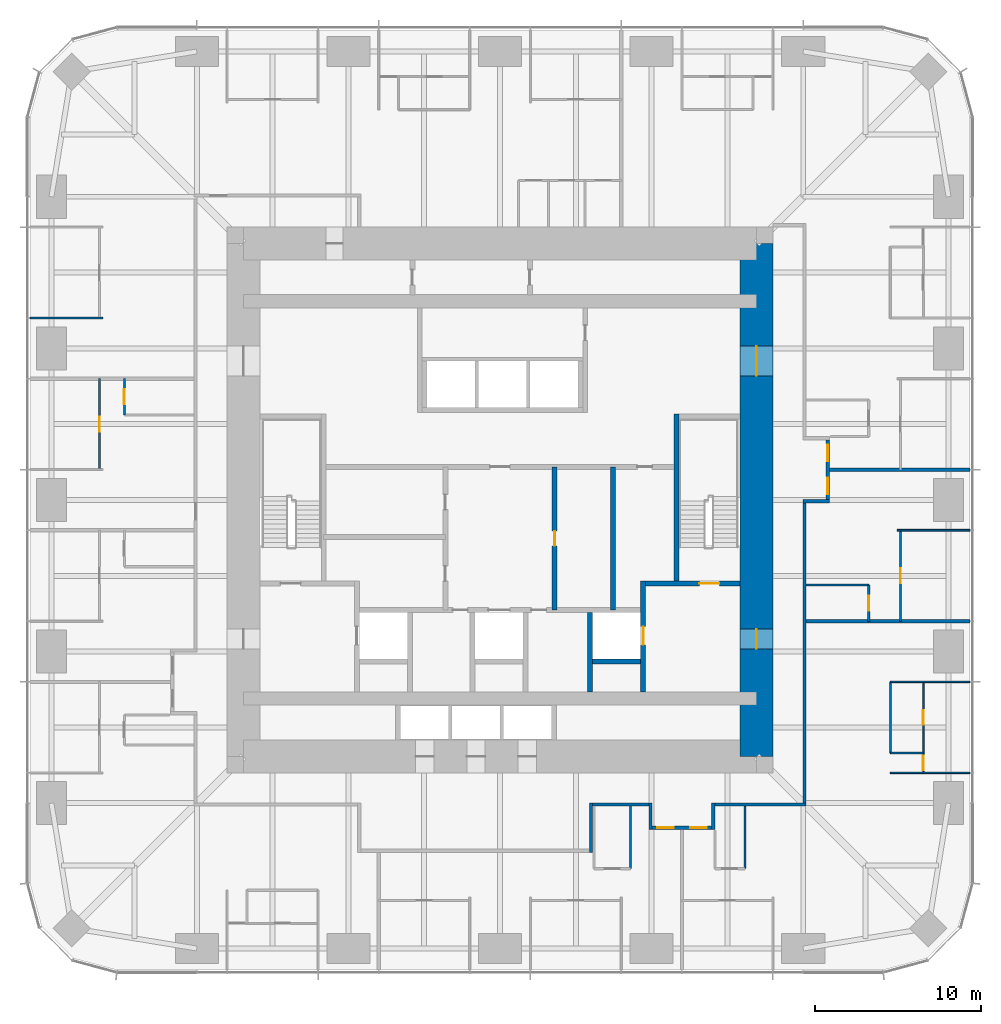
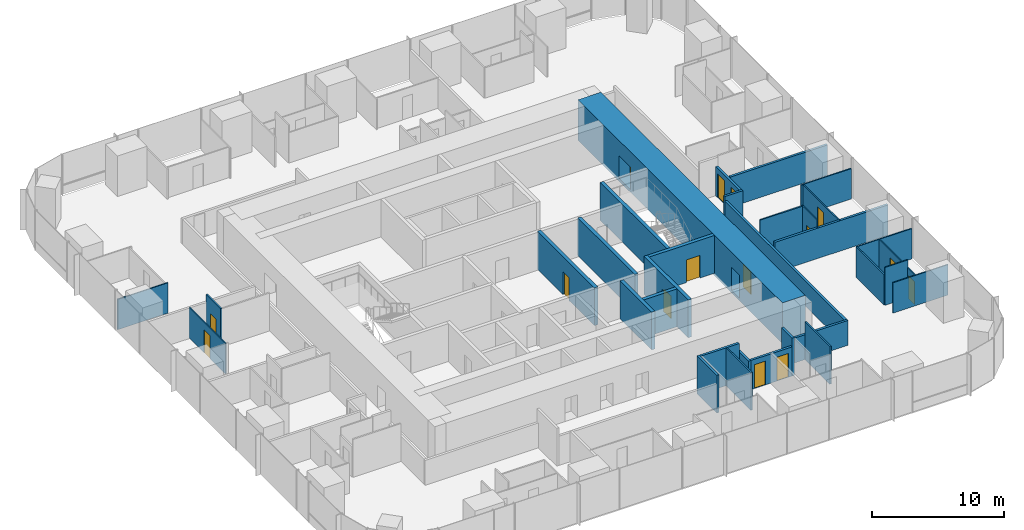
# One storey, part 10 of 13: 33 walls, 15 doors, 15 openings.
"""IFC4 building model written with IfcOpenShell, lengths in metres."""

from ifc_helpers import new_model, si_unit, direction, frame, frame_2d, origin, place, context, subcontext, project, spatial, rectangle, extrude, material, layer, layer_set, type_object, element, fill, save


model = new_model("IFC4")

# Units and contexts
model_context = context("Model", 3, precision=1e-05, world=origin(), true_north=direction((0.0, 1.0)))
body_context = subcontext(model_context, "Body", "Model", "MODEL_VIEW")
ifc_project = project(units=[si_unit("LENGTHUNIT", "METRE"), si_unit("AREAUNIT", "SQUARE_METRE"), si_unit("VOLUMEUNIT", "CUBIC_METRE"), si_unit("PLANEANGLEUNIT", "RADIAN"), si_unit("MASSUNIT", "GRAM", prefix="KILO")], contexts=[model_context])

# Site, building, storey
site_placement = place(None, origin())
site = spatial("IfcSite", under=ifc_project, at=site_placement, CompositionType="ELEMENT")
building_placement = place(site_placement, origin())
building = spatial("IfcBuilding", under=site, at=building_placement, Name="Khuree Lantern Residences", CompositionType="ELEMENT")
storey_placement = place(building_placement, frame((0.0, 0.0, 156.0)))
storey = spatial("IfcBuildingStorey", under=building, at=storey_placement, Name="L39", CompositionType="ELEMENT", Elevation=156.0)

# Wall, opening, door
ifc_material_1 = material(Name="Moisture-resistant gypsum board on steel studs", Category="steel")
ifc_layer_1 = layer(ifc_material_1, 0.125)
ifc_layer_set_1 = layer_set([ifc_layer_1], Name="BATHROOM WALL BTW125")
wall_type_1 = type_object("IfcWallType", Name="BATHROOM WALL BTW125", PredefinedType="PARTITIONING", material=ifc_layer_set_1)
wall_1_placement = place(storey_placement, frame((22.27978515625, -7.327880859375, 0.0), z_axis=(0.0, 0.0, 1.0), x_axis=(0.0, 1.0, 0.0)))
wall_1 = element("IfcWall", 1, at=wall_1_placement, inside=storey, type_object=wall_type_1, Name="L39 BATHROOM WALL 01", PredefinedType="PARTITIONING", context=body_context, shape_type="SweptSolid", body=[
    extrude(rectangle(XDim=2.199951171875, YDim=0.125, at=frame_2d((1.10009765625, 0.0))), origin(), (0.0, 0.0, 1.0), 3.5),
])
opening_1_placement = place(wall_1_placement, frame((0.64990234375, 0.0, 0.0)))
opening_1 = element("IfcOpeningElement", 2, at=opening_1_placement, cuts=wall_1, Name="Opening 39-025", PredefinedType="OPENING", context=body_context, shape_type="SweptSolid", body=[
    extrude(rectangle(XDim=0.89990234375, YDim=2.10009765625, at=frame_2d((0.449951171875, 1.050048828125))), frame((0.0, 0.072509765625, 0.0), z_axis=(0.0, -1.0, 0.0), x_axis=(1.0, 0.0, 0.0)), (0.0, 0.0, 1.0), 0.14501953125),
])
ifc_material_2 = material(Name="Timber door leaf in hardwood frame", Category="wood")
door_type_1 = type_object("IfcDoorType", Name="BATHROOM DOOR 900X2100", OperationType="SINGLE_SWING_LEFT", PredefinedType="DOOR", material=ifc_material_2)
door_1_placement = place(opening_1_placement, origin())
door_1 = element("IfcDoor", 3, at=door_1_placement, inside=storey, type_object=door_type_1, Name="Bathroom door 39-025", OperationType="SINGLE_SWING_LEFT", OverallHeight=2.10009765625, OverallWidth=0.89990234375, PredefinedType="DOOR", context=body_context, shape_type="SweptSolid", body=[
    extrude(rectangle(XDim=0.89990234375, YDim=2.10009765625, at=frame_2d((0.449951171875, 1.050048828125))), frame((0.0, 0.02490234375, 0.0), z_axis=(0.0, -1.0, 0.0), x_axis=(1.0, 0.0, 0.0)), (0.0, 0.0, 1.0), 0.050048828125),
])
fill(opening_1, door_1)

# Wall
wall_2_placement = place(storey_placement, frame((18.5, -5.1279296875, 0.0), z_axis=(0.0, 0.0, 1.0), x_axis=(1.0, 0.0, 0.0)))
element("IfcWall", 4, at=wall_2_placement, inside=storey, type_object=wall_type_1, Name="L39 BATHROOM WALL 01", PredefinedType="PARTITIONING", context=body_context, shape_type="SweptSolid", body=[
    extrude(rectangle(XDim=3.77978515625, YDim=0.125, at=frame_2d((1.889892578125, 0.0))), origin(), (0.0, 0.0, 1.0), 3.5),
])

# Wall, opening, door
wall_3_placement = place(storey_placement, frame((-22.699951171875, 7.327880859375, 0.0), z_axis=(0.0, 0.0, 1.0), x_axis=(0.0, -1.0, 0.0)))
wall_3 = element("IfcWall", 5, at=wall_3_placement, inside=storey, type_object=wall_type_1, Name="L39 BATHROOM WALL 04", PredefinedType="PARTITIONING", context=body_context, shape_type="SweptSolid", body=[
    extrude(rectangle(XDim=2.199951171875, YDim=0.125, at=frame_2d((1.10009765625, 0.0))), origin(), (0.0, 0.0, 1.0), 3.5),
])
opening_2_placement = place(wall_3_placement, frame((0.64990234375, 0.0, 0.0)))
opening_2 = element("IfcOpeningElement", 6, at=opening_2_placement, cuts=wall_3, Name="Opening 39-044", PredefinedType="OPENING", context=body_context, shape_type="SweptSolid", body=[
    extrude(rectangle(XDim=0.89990234375, YDim=2.10009765625, at=frame_2d((0.449951171875, 1.050048828125))), frame((0.0, 0.072509765625, 0.0), z_axis=(0.0, -1.0, 0.0), x_axis=(1.0, 0.0, 0.0)), (0.0, 0.0, 1.0), 0.14501953125),
])
door_2_placement = place(opening_2_placement, origin())
door_2 = element("IfcDoor", 7, at=door_2_placement, inside=storey, type_object=door_type_1, Name="Bathroom door 39-044", OperationType="SINGLE_SWING_LEFT", OverallHeight=2.10009765625, OverallWidth=0.89990234375, PredefinedType="DOOR", context=body_context, shape_type="SweptSolid", body=[
    extrude(rectangle(XDim=0.89990234375, YDim=2.10009765625, at=frame_2d((0.449951171875, 1.050048828125))), frame((0.0, 0.02490234375, 0.0), z_axis=(0.0, -1.0, 0.0), x_axis=(1.0, 0.0, 0.0)), (0.0, 0.0, 1.0), 0.050048828125),
])
fill(opening_2, door_2)

# Walls
wall_4_placement = place(storey_placement, frame((7.883544921875, -18.5, 0.0), z_axis=(0.0, 0.0, 1.0), x_axis=(0.0, -1.0, 0.0)))
element("IfcWall", 8, at=wall_4_placement, inside=storey, type_object=wall_type_1, Name="L39 BATHROOM WALL 07", PredefinedType="PARTITIONING", context=body_context, shape_type="SweptSolid", body=[
    extrude(rectangle(XDim=3.77978515625, YDim=0.125, at=frame_2d((1.889892578125, 0.0))), origin(), (0.0, 0.0, 1.0), 3.5),
])
wall_5_placement = place(storey_placement, frame((23.579833984375, -15.2880859375, 0.0), z_axis=(0.0, 0.0, 1.0), x_axis=(0.0, 1.0, 0.0)))
element("IfcWall", 9, at=wall_5_placement, inside=storey, type_object=wall_type_1, Name="L39 BATHROOM WALL 08", PredefinedType="PARTITIONING", context=body_context, shape_type="SweptSolid", body=[
    extrude(rectangle(XDim=4.296142578125, YDim=0.125, at=frame_2d((2.14794921875, 0.0))), origin(), (0.0, 0.0, 1.0), 2.81005859375),
])
wall_6_placement = place(storey_placement, frame((14.7919921875, -18.5, 0.0), z_axis=(0.0, 0.0, 1.0), x_axis=(0.0, -1.0, 0.0)))
element("IfcWall", 10, at=wall_6_placement, inside=storey, type_object=wall_type_1, Name="L39 BATHROOM WALL 08", PredefinedType="PARTITIONING", context=body_context, shape_type="SweptSolid", body=[
    extrude(rectangle(XDim=3.77978515625, YDim=0.125, at=frame_2d((1.889892578125, 0.0))), origin(), (0.0, 0.0, 1.0), 3.5),
])

# Wall, opening, door
ifc_material_3 = material(Name="Dense concrete blockwork", Category="masonry")
ifc_layer_2 = layer(ifc_material_3, 0.300048828125)
ifc_layer_set_2 = layer_set([ifc_layer_2], Name="CORE PARTITION WALL CPW300 EI 120")
wall_type_2 = type_object("IfcWallType", Name="CORE PARTITION WALL CPW300 EI 120", PredefinedType="PARTITIONING", material=ifc_layer_set_2)
wall_7_placement = place(storey_placement, frame((8.64990234375, -11.60009765625, 0.0), z_axis=(0.0, 0.0, 1.0), x_axis=(0.0, 1.0, 0.0)))
wall_7 = element("IfcWall", 11, at=wall_7_placement, inside=storey, type_object=wall_type_2, Name="L39 CORE WALL FL2E", PredefinedType="PARTITIONING", context=body_context, shape_type="SweptSolid", body=[
    extrude(rectangle(XDim=6.7001953125, YDim=0.300048828125, at=frame_2d((3.35009765625, 0.0))), origin(), (0.0, 0.0, 1.0), 3.5),
])
opening_3_placement = place(wall_7_placement, frame((2.85009765625, 0.0, 0.0)))
opening_3 = element("IfcOpeningElement", 12, at=opening_3_placement, cuts=wall_7, Name="Opening 39-008", PredefinedType="OPENING", context=body_context, shape_type="SweptSolid", body=[
    extrude(rectangle(XDim=1.10009765625, YDim=2.10009765625, at=frame_2d((0.550048828125, 1.050048828125))), frame((0.0, 0.16015625, 0.0), z_axis=(0.0, -1.0, 0.0), x_axis=(1.0, 0.0, 0.0)), (0.0, 0.0, 1.0), 0.320068359375),
])
ifc_material_4 = material(Name="Stainless steel lift landing door", Category="steel")
door_type_2 = type_object("IfcDoorType", Name="LIFT LANDING DOOR 1100X2100 E 120", OperationType="DOUBLE_DOOR_SLIDING", PredefinedType="DOOR", material=ifc_material_4)
door_3_placement = place(opening_3_placement, origin())
door_3 = element("IfcDoor", 13, at=door_3_placement, inside=storey, type_object=door_type_2, Name="Landing door FL2 39-008", OperationType="DOUBLE_DOOR_SLIDING", OverallHeight=2.10009765625, OverallWidth=1.10009765625, PredefinedType="DOOR", context=body_context, shape_type="SweptSolid", body=[
    extrude(rectangle(XDim=1.10009765625, YDim=2.10009765625, at=frame_2d((0.550048828125, 1.050048828125))), frame((0.0, 0.02490234375, 0.0), z_axis=(0.0, -1.0, 0.0), x_axis=(1.0, 0.0, 0.0)), (0.0, 0.0, 1.0), 0.050048828125),
])
fill(opening_3, door_3)

# Walls
wall_8_placement = place(storey_placement, frame((5.449951171875, -11.60009765625, 0.0), z_axis=(0.0, 0.0, 1.0), x_axis=(0.0, 1.0, 0.0)))
element("IfcWall", 14, at=wall_8_placement, inside=storey, type_object=wall_type_2, Name="L39 CORE WALL FL2W", PredefinedType="PARTITIONING", context=body_context, shape_type="SweptSolid", body=[
    extrude(rectangle(XDim=4.800048828125, YDim=0.300048828125, at=frame_2d((2.39990234375, 0.0))), origin(), (0.0, 0.0, 1.0), 3.5),
])
wall_9_placement = place(storey_placement, frame((5.60009765625, -9.75, 0.0), z_axis=(0.0, 0.0, 1.0), x_axis=(1.0, 0.0, 0.0)))
element("IfcWall", 15, at=wall_9_placement, inside=storey, type_object=wall_type_2, Name="L39 CORE WALL FL2S", PredefinedType="PARTITIONING", context=body_context, shape_type="SweptSolid", body=[
    extrude(rectangle(XDim=2.89990234375, YDim=0.300048828125, at=frame_2d((1.449951171875, 0.0))), origin(), (0.0, 0.0, 1.0), 3.5),
])

# Wall, opening, door
wall_10_placement = place(storey_placement, frame((3.300048828125, -6.64990234375, 0.0), z_axis=(0.0, 0.0, 1.0), x_axis=(0.0, 1.0, 0.0)))
wall_10 = element("IfcWall", 16, at=wall_10_placement, inside=storey, type_object=wall_type_2, Name="L39 CORE WALL SVE", PredefinedType="PARTITIONING", context=body_context, shape_type="SweptSolid", body=[
    extrude(rectangle(XDim=8.64990234375, YDim=0.300048828125, at=frame_2d((4.324951171875, 0.0))), origin(), (0.0, 0.0, 1.0), 3.5),
])
opening_4_placement = place(wall_10_placement, frame((3.875, 0.0, 0.0)))
opening_4 = element("IfcOpeningElement", 17, at=opening_4_placement, cuts=wall_10, Name="Opening 39-018", PredefinedType="OPENING", context=body_context, shape_type="SweptSolid", body=[
    extrude(rectangle(XDim=0.89990234375, YDim=2.10009765625, at=frame_2d((0.449951171875, 1.050048828125))), frame((0.0, 0.16015625, 0.0), z_axis=(0.0, -1.0, 0.0), x_axis=(1.0, 0.0, 0.0)), (0.0, 0.0, 1.0), 0.320068359375),
])
door_type_3 = type_object("IfcDoorType", Name="DOOR 900X2100", OperationType="SINGLE_SWING_LEFT", PredefinedType="DOOR", material=ifc_material_2)
door_4_placement = place(opening_4_placement, origin())
door_4 = element("IfcDoor", 18, at=door_4_placement, inside=storey, type_object=door_type_3, Name="Residents' store door 39-018", OperationType="SINGLE_SWING_LEFT", OverallHeight=2.10009765625, OverallWidth=0.89990234375, PredefinedType="DOOR", context=body_context, shape_type="SweptSolid", body=[
    extrude(rectangle(XDim=0.89990234375, YDim=2.10009765625, at=frame_2d((0.449951171875, 1.050048828125))), frame((0.0, 0.02490234375, 0.0), z_axis=(0.0, -1.0, 0.0), x_axis=(1.0, 0.0, 0.0)), (0.0, 0.0, 1.0), 0.050048828125),
])
fill(opening_4, door_4)

# Walls
wall_11_placement = place(storey_placement, frame((6.833984375, -6.64990234375, 0.0), z_axis=(0.0, 0.0, 1.0), x_axis=(0.0, 1.0, 0.0)))
element("IfcWall", 19, at=wall_11_placement, inside=storey, type_object=wall_type_2, Name="L39 CORE WALL EV", PredefinedType="PARTITIONING", context=body_context, shape_type="SweptSolid", body=[
    extrude(rectangle(XDim=8.64990234375, YDim=0.300048828125, at=frame_2d((4.324951171875, 0.0))), origin(), (0.0, 0.0, 1.0), 3.5),
])
ifc_material_5 = material(Name="Gypsum board on steel studs", Category="steel")
ifc_layer_3 = layer(ifc_material_5, 0.199951171875)
ifc_layer_set_3 = layer_set([ifc_layer_3], Name="CORRIDOR WALL CRW200 EI 60")
wall_type_3 = type_object("IfcWallType", Name="CORRIDOR WALL CRW200 EI 60", PredefinedType="PARTITIONING", material=ifc_layer_set_3)
wall_12_placement = place(storey_placement, frame((18.39990234375, -18.300048828125, 0.0), z_axis=(0.0, 0.0, 1.0), x_axis=(0.0, 1.0, 0.0)))
element("IfcWall", 20, at=wall_12_placement, inside=storey, type_object=wall_type_3, Name="L39 CORRIDOR WALL EAST 1", PredefinedType="PARTITIONING", context=body_context, shape_type="SweptSolid", body=[
    extrude(rectangle(XDim=18.132080078125, YDim=0.199951171875, at=frame_2d((9.06591796875, 0.0))), origin(), (0.0, 0.0, 1.0), 2.300048828125),
])
wall_13_placement = place(storey_placement, frame((18.300048828125, -0.068115234375, 0.0), z_axis=(0.0, 0.0, 1.0), x_axis=(1.0, 0.0, 0.0)))
element("IfcWall", 21, at=wall_13_placement, inside=storey, type_object=wall_type_3, Name="L39 CORRIDOR ALCOVE WALL EAST", PredefinedType="PARTITIONING", context=body_context, shape_type="SweptSolid", body=[
    extrude(rectangle(XDim=1.599853515625, YDim=0.199951171875, at=frame_2d((0.7998046875, 0.0))), origin(), (0.0, 0.0, 1.0), 2.699951171875),
])

# Wall, openings, doors
wall_14_placement = place(storey_placement, frame((19.800048828125, 0.031982421875, 0.0), z_axis=(0.0, 0.0, 1.0), x_axis=(0.0, 1.0, 0.0)))
wall_14 = element("IfcWall", 22, at=wall_14_placement, inside=storey, type_object=wall_type_3, Name="L39 CORRIDOR ALCOVE WALL EAST", PredefinedType="PARTITIONING", context=body_context, shape_type="SweptSolid", body=[
    extrude(rectangle(XDim=3.60009765625, YDim=0.199951171875, at=frame_2d((1.800048828125, 0.0))), origin(), (0.0, 0.0, 1.0), 2.699951171875),
])
opening_5_placement = place(wall_14_placement, frame((0.300048828125, 0.0, 0.0)))
opening_5 = element("IfcOpeningElement", 23, at=opening_5_placement, cuts=wall_14, Name="Opening 39-026", PredefinedType="OPENING", context=body_context, shape_type="SweptSolid", body=[
    extrude(rectangle(XDim=1.0, YDim=2.199951171875, at=frame_2d((0.5, 1.10009765625))), frame((0.0, 0.10986328125, 0.0), z_axis=(0.0, -1.0, 0.0), x_axis=(1.0, 0.0, 0.0)), (0.0, 0.0, 1.0), 0.219970703125),
])
opening_6_placement = place(wall_14_placement, frame((2.300048828125, 0.0, 0.0)))
opening_6 = element("IfcOpeningElement", 24, at=opening_6_placement, cuts=wall_14, Name="Opening 39-033", PredefinedType="OPENING", context=body_context, shape_type="SweptSolid", body=[
    extrude(rectangle(XDim=1.0, YDim=2.199951171875, at=frame_2d((0.5, 1.10009765625))), frame((0.0, 0.10986328125, 0.0), z_axis=(0.0, -1.0, 0.0), x_axis=(1.0, 0.0, 0.0)), (0.0, 0.0, 1.0), 0.219970703125),
])
door_type_4 = type_object("IfcDoorType", Name="APARTMENT ENTRANCE DOOR 1000X2200 EI 30S", OperationType="SINGLE_SWING_LEFT", PredefinedType="DOOR", material=ifc_material_2)
door_5_placement = place(opening_5_placement, origin())
door_5 = element("IfcDoor", 25, at=door_5_placement, inside=storey, type_object=door_type_4, Name="Apartment 01 entrance door 39-026", OperationType="SINGLE_SWING_LEFT", OverallHeight=2.199951171875, OverallWidth=1.0, PredefinedType="DOOR", context=body_context, shape_type="SweptSolid", body=[
    extrude(rectangle(XDim=1.0, YDim=2.199951171875, at=frame_2d((0.5, 1.10009765625))), frame((0.0, 0.02490234375, 0.0), z_axis=(0.0, -1.0, 0.0), x_axis=(1.0, 0.0, 0.0)), (0.0, 0.0, 1.0), 0.050048828125),
])
fill(opening_5, door_5)
door_type_5 = type_object("IfcDoorType", Name="APARTMENT ENTRANCE DOOR 1000X2200 EI 30S RIGHT HAND", OperationType="SINGLE_SWING_RIGHT", PredefinedType="DOOR", material=ifc_material_2)
door_6_placement = place(opening_6_placement, origin())
door_6 = element("IfcDoor", 26, at=door_6_placement, inside=storey, type_object=door_type_5, Name="Apartment 02 entrance door 39-033", OperationType="SINGLE_SWING_RIGHT", OverallHeight=2.199951171875, OverallWidth=1.0, PredefinedType="DOOR", context=body_context, shape_type="SweptSolid", body=[
    extrude(rectangle(XDim=1.0, YDim=2.199951171875, at=frame_2d((0.5, 1.10009765625))), frame((0.0, 0.02490234375, 0.0), z_axis=(0.0, -1.0, 0.0), x_axis=(1.0, 0.0, 0.0)), (0.0, 0.0, 1.0), 0.050048828125),
])
fill(opening_6, door_6)

# Walls
wall_15_placement = place(storey_placement, frame((18.5, -18.39990234375, 0.0), z_axis=(0.0, 0.0, 1.0), x_axis=(-1.0, 0.0, 0.0)))
element("IfcWall", 27, at=wall_15_placement, inside=storey, type_object=wall_type_3, Name="L39 CORRIDOR WALL SOUTH 1", PredefinedType="PARTITIONING", context=body_context, shape_type="SweptSolid", body=[
    extrude(rectangle(XDim=5.508056640625, YDim=0.199951171875, at=frame_2d((2.75390625, 0.0))), origin(), (0.0, 0.0, 1.0), 2.300048828125),
])
wall_16_placement = place(storey_placement, frame((12.89208984375, -18.300048828125, 0.0), z_axis=(0.0, 0.0, 1.0), x_axis=(0.0, -1.0, 0.0)))
element("IfcWall", 28, at=wall_16_placement, inside=storey, type_object=wall_type_3, Name="L39 CORRIDOR ALCOVE WALL SOUTH", PredefinedType="PARTITIONING", context=body_context, shape_type="SweptSolid", body=[
    extrude(rectangle(XDim=1.599853515625, YDim=0.199951171875, at=frame_2d((0.7998046875, 0.0))), origin(), (0.0, 0.0, 1.0), 3.5),
])
wall_17_placement = place(storey_placement, frame((9.092041015625, -18.300048828125, 0.0), z_axis=(0.0, 0.0, 1.0), x_axis=(0.0, -1.0, 0.0)))
element("IfcWall", 29, at=wall_17_placement, inside=storey, type_object=wall_type_3, Name="L39 CORRIDOR ALCOVE WALL SOUTH", PredefinedType="PARTITIONING", context=body_context, shape_type="SweptSolid", body=[
    extrude(rectangle(XDim=1.599853515625, YDim=0.199951171875, at=frame_2d((0.7998046875, 0.0))), origin(), (0.0, 0.0, 1.0), 2.699951171875),
])

# Wall, openings, doors
wall_18_placement = place(storey_placement, frame((12.7919921875, -19.800048828125, 0.0), z_axis=(0.0, 0.0, 1.0), x_axis=(-1.0, 0.0, 0.0)))
wall_18 = element("IfcWall", 30, at=wall_18_placement, inside=storey, type_object=wall_type_3, Name="L39 CORRIDOR ALCOVE WALL SOUTH", PredefinedType="PARTITIONING", context=body_context, shape_type="SweptSolid", body=[
    extrude(rectangle(XDim=3.60009765625, YDim=0.199951171875, at=frame_2d((1.800048828125, 0.0))), origin(), (0.0, 0.0, 1.0), 2.699951171875),
])
opening_7_placement = place(wall_18_placement, frame((2.300048828125, 0.0, 0.0)))
opening_7 = element("IfcOpeningElement", 31, at=opening_7_placement, cuts=wall_18, Name="Opening 39-057", PredefinedType="OPENING", context=body_context, shape_type="SweptSolid", body=[
    extrude(rectangle(XDim=1.0, YDim=2.199951171875, at=frame_2d((0.5, 1.10009765625))), frame((0.0, 0.10986328125, 0.0), z_axis=(0.0, -1.0, 0.0), x_axis=(1.0, 0.0, 0.0)), (0.0, 0.0, 1.0), 0.219970703125),
])
opening_8_placement = place(wall_18_placement, frame((0.300048828125, 0.0, 0.0)))
opening_8 = element("IfcOpeningElement", 32, at=opening_8_placement, cuts=wall_18, Name="Opening 39-062", PredefinedType="OPENING", context=body_context, shape_type="SweptSolid", body=[
    extrude(rectangle(XDim=1.0, YDim=2.199951171875, at=frame_2d((0.5, 1.10009765625))), frame((0.0, 0.10986328125, 0.0), z_axis=(0.0, -1.0, 0.0), x_axis=(1.0, 0.0, 0.0)), (0.0, 0.0, 1.0), 0.219970703125),
])
door_7_placement = place(opening_7_placement, origin())
door_7 = element("IfcDoor", 33, at=door_7_placement, inside=storey, type_object=door_type_4, Name="Apartment 07 entrance door 39-057", OperationType="SINGLE_SWING_LEFT", OverallHeight=2.199951171875, OverallWidth=1.0, PredefinedType="DOOR", context=body_context, shape_type="SweptSolid", body=[
    extrude(rectangle(XDim=1.0, YDim=2.199951171875, at=frame_2d((0.5, 1.10009765625))), frame((0.0, 0.02490234375, 0.0), z_axis=(0.0, -1.0, 0.0), x_axis=(1.0, 0.0, 0.0)), (0.0, 0.0, 1.0), 0.050048828125),
])
fill(opening_7, door_7)
door_8_placement = place(opening_8_placement, origin())
door_8 = element("IfcDoor", 34, at=door_8_placement, inside=storey, type_object=door_type_4, Name="Apartment 08 entrance door 39-062", OperationType="SINGLE_SWING_LEFT", OverallHeight=2.199951171875, OverallWidth=1.0, PredefinedType="DOOR", context=body_context, shape_type="SweptSolid", body=[
    extrude(rectangle(XDim=1.0, YDim=2.199951171875, at=frame_2d((0.5, 1.10009765625))), frame((0.0, 0.02490234375, 0.0), z_axis=(0.0, -1.0, 0.0), x_axis=(1.0, 0.0, 0.0)), (0.0, 0.0, 1.0), 0.050048828125),
])
fill(opening_8, door_8)

# Walls
wall_19_placement = place(storey_placement, frame((8.991943359375, -18.39990234375, 0.0), z_axis=(0.0, 0.0, 1.0), x_axis=(-1.0, 0.0, 0.0)))
element("IfcWall", 35, at=wall_19_placement, inside=storey, type_object=wall_type_3, Name="L39 CORRIDOR WALL SOUTH 2", PredefinedType="PARTITIONING", context=body_context, shape_type="SweptSolid", body=[
    extrude(rectangle(XDim=3.391845703125, YDim=0.199951171875, at=frame_2d((1.69580078125, 0.0))), origin(), (0.0, 0.0, 1.0), 3.5),
])
wall_20_placement = place(storey_placement, frame((5.5, -18.300048828125, 0.0), z_axis=(0.0, 0.0, 1.0), x_axis=(0.0, -1.0, 0.0)))
element("IfcWall", 36, at=wall_20_placement, inside=storey, type_object=wall_type_3, Name="L39 LIFT LOBBY WALL", PredefinedType="PARTITIONING", context=body_context, shape_type="SweptSolid", body=[
    extrude(rectangle(XDim=3.0, YDim=0.199951171875, at=frame_2d((1.5, 0.0))), origin(), (0.0, 0.0, 1.0), 3.5),
])

# Wall, openings, doors
ifc_material_6 = material(Name="Concrete C70/85", Category="concrete")
ifc_layer_4 = layer(ifc_material_6, 2.0)
ifc_layer_set_4 = layer_set([ifc_layer_4], Name="CW2000-C70 CORE WALL C70 2000")
wall_type_4 = type_object("IfcWallType", Name="CW2000-C70 CORE WALL C70 2000", PredefinedType="SHEAR", material=ifc_layer_set_4)
wall_21_placement = place(storey_placement, frame((15.5, -15.5, -0.25), z_axis=(0.0, 0.0, 1.0), x_axis=(0.0, 1.0, 0.0)))
wall_21 = element("IfcWall", 37, at=wall_21_placement, inside=storey, type_object=wall_type_4, Name="Core wall E", PredefinedType="SHEAR", context=body_context, shape_type="SweptSolid", body=[
    extrude(rectangle(XDim=31.0, YDim=2.0, at=frame_2d((15.5, 0.0))), origin(), (0.0, 0.0, 1.0), 3.75),
])
opening_9_placement = place(wall_21_placement, frame((6.5, 0.0, 0.25)))
opening_9 = element("IfcOpeningElement", 38, at=opening_9_placement, cuts=wall_21, Name="Opening 39-005", PredefinedType="OPENING", context=body_context, shape_type="SweptSolid", body=[
    extrude(rectangle(XDim=1.199951171875, YDim=2.10009765625, at=frame_2d((0.60009765625, 1.050048828125))), frame((0.0, 1.010009765625, 0.0), z_axis=(0.0, -1.0, 0.0), x_axis=(1.0, 0.0, 0.0)), (0.0, 0.0, 1.0), 2.02001953125),
])
opening_10_placement = place(wall_21_placement, frame((23.0, 0.0, 0.25)))
opening_10 = element("IfcOpeningElement", 39, at=opening_10_placement, cuts=wall_21, Name="Opening 39-006", PredefinedType="OPENING", context=body_context, shape_type="SweptSolid", body=[
    extrude(rectangle(XDim=1.800048828125, YDim=2.10009765625, at=frame_2d((0.89990234375, 1.050048828125))), frame((0.0, 1.010009765625, 0.0), z_axis=(0.0, -1.0, 0.0), x_axis=(1.0, 0.0, 0.0)), (0.0, 0.0, 1.0), 2.02001953125),
])
ifc_material_7 = material(Name="Steel door leaf in steel frame", Category="steel")
door_type_6 = type_object("IfcDoorType", Name="LOBBY DOOR 1200X2100 EI 120", OperationType="SINGLE_SWING_LEFT", PredefinedType="DOOR", material=ifc_material_7)
door_9_placement = place(opening_9_placement, origin())
door_9 = element("IfcDoor", 40, at=door_9_placement, inside=storey, type_object=door_type_6, Name="Firefighting lobby door 39-005", OperationType="SINGLE_SWING_LEFT", OverallHeight=2.10009765625, OverallWidth=1.199951171875, PredefinedType="DOOR", context=body_context, shape_type="SweptSolid", body=[
    extrude(rectangle(XDim=1.199951171875, YDim=2.10009765625, at=frame_2d((0.60009765625, 1.050048828125))), frame((0.0, 0.02490234375, 0.0), z_axis=(0.0, -1.0, 0.0), x_axis=(1.0, 0.0, 0.0)), (0.0, 0.0, 1.0), 0.050048828125),
])
fill(opening_9, door_9)
door_type_7 = type_object("IfcDoorType", Name="LOBBY DOUBLE DOOR 1800X2100 EI 60", OperationType="DOUBLE_DOOR_SINGLE_SWING", PredefinedType="DOOR", material=ifc_material_7)
door_10_placement = place(opening_10_placement, origin())
door_10 = element("IfcDoor", 41, at=door_10_placement, inside=storey, type_object=door_type_7, Name="Lift lobby door 39-006", OperationType="DOUBLE_DOOR_SINGLE_SWING", OverallHeight=2.10009765625, OverallWidth=1.800048828125, PredefinedType="DOOR", context=body_context, shape_type="SweptSolid", body=[
    extrude(rectangle(XDim=1.800048828125, YDim=2.10009765625, at=frame_2d((0.89990234375, 1.050048828125))), frame((0.0, 0.02490234375, 0.0), z_axis=(0.0, -1.0, 0.0), x_axis=(1.0, 0.0, 0.0)), (0.0, 0.0, 1.0), 0.050048828125),
])
fill(opening_10, door_10)

# Walls
ifc_layer_5 = layer(ifc_material_5, 0.199951171875)
ifc_layer_set_5 = layer_set([ifc_layer_5], Name="DEMISING WALL DMW200 EI 90")
wall_type_5 = type_object("IfcWallType", Name="DEMISING WALL DMW200 EI 90", PredefinedType="PARTITIONING", material=ifc_layer_set_5)
wall_22_placement = place(storey_placement, frame((18.5, -7.327880859375, 0.0), z_axis=(0.0, 0.0, 1.0), x_axis=(1.0, 0.0, 0.0)))
element("IfcWall", 42, at=wall_22_placement, inside=storey, type_object=wall_type_5, Name="L39 DEMISING WALL 01", PredefinedType="PARTITIONING", context=body_context, shape_type="SweptSolid", body=[
    extrude(rectangle(XDim=9.89990234375, YDim=0.199951171875, at=frame_2d((4.949951171875, 0.0))), origin(), (0.0, 0.0, 1.0), 2.81005859375),
])
wall_23_placement = place(storey_placement, frame((19.89990234375, 1.83203125, 0.0), z_axis=(0.0, 0.0, 1.0), x_axis=(1.0, 0.0, 0.0)))
element("IfcWall", 43, at=wall_23_placement, inside=storey, type_object=wall_type_5, Name="L39 DEMISING WALL 02", PredefinedType="PARTITIONING", context=body_context, shape_type="SweptSolid", body=[
    extrude(rectangle(XDim=8.5, YDim=0.199951171875, at=frame_2d((4.25, 0.0))), origin(), (0.0, 0.0, 1.0), 2.81005859375),
])
ifc_layer_6 = layer(ifc_material_5, 0.10009765625)
ifc_layer_set_6 = layer_set([ifc_layer_6], Name="PARTITION PT100")
wall_type_6 = type_object("IfcWallType", Name="PARTITION PT100", PredefinedType="PARTITIONING", material=ifc_layer_set_6)
for number, where, z_axis, x_axis, name in (
    (44, (24.0, -1.83203125, 0.0), (0.0, 0.0, 1.0), (1.0, 0.0, 0.0), "L39 PARTITION 01"),
    (45, (-24.0, 10.991943359375, 0.0), (0.0, 0.0, 1.0), (-1.0, 0.0, 0.0), "L39 PARTITION 03"),
):
    element("IfcWall", number, at=place(storey_placement, frame(where, z_axis=z_axis, x_axis=x_axis)), inside=storey, type_object=wall_type_6, Name=name, PredefinedType="PARTITIONING", context=body_context, shape_type="SweptSolid", body=[
        extrude(rectangle(XDim=4.39990234375, YDim=0.10009765625, at=frame_2d((2.199951171875, 0.0))), origin(), (0.0, 0.0, 1.0), 2.81005859375),
    ])
for number, where, z_axis, x_axis, name in (
    (46, (23.579833984375, -16.488037109375, 0.0), (0.0, 0.0, 1.0), (1.0, 0.0, 0.0), "L39 PARTITION 08"),
    (47, (23.579833984375, -10.991943359375, 0.0), (0.0, 0.0, 1.0), (1.0, 0.0, 0.0), "L39 PARTITION 08"),
):
    element("IfcWall", number, at=place(storey_placement, frame(where, z_axis=z_axis, x_axis=x_axis)), inside=storey, type_object=wall_type_6, Name=name, PredefinedType="PARTITIONING", context=body_context, shape_type="SweptSolid", body=[
        extrude(rectangle(XDim=4.820068359375, YDim=0.10009765625, at=frame_2d((2.41015625, 0.0))), origin(), (0.0, 0.0, 1.0), 2.81005859375),
    ])

# Wall, opening, door
wall_24_placement = place(storey_placement, frame((24.199951171875, -7.327880859375, 0.0), z_axis=(0.0, 0.0, 1.0), x_axis=(0.0, 1.0, 0.0)))
wall_24 = element("IfcWall", 48, at=wall_24_placement, inside=storey, type_object=wall_type_6, Name="L39 PARTITION 01", PredefinedType="PARTITIONING", context=body_context, shape_type="SweptSolid", body=[
    extrude(rectangle(XDim=5.495849609375, YDim=0.10009765625, at=frame_2d((2.748046875, 0.0))), origin(), (0.0, 0.0, 1.0), 2.81005859375),
])
opening_11_placement = place(wall_24_placement, frame((2.298095703125, 0.0, 0.0)))
opening_11 = element("IfcOpeningElement", 49, at=opening_11_placement, cuts=wall_24, Name="Opening 39-024", PredefinedType="OPENING", context=body_context, shape_type="SweptSolid", body=[
    extrude(rectangle(XDim=0.89990234375, YDim=2.10009765625, at=frame_2d((0.449951171875, 1.050048828125))), frame((0.0, 0.06005859375, 0.0), z_axis=(0.0, -1.0, 0.0), x_axis=(1.0, 0.0, 0.0)), (0.0, 0.0, 1.0), 0.1201171875),
])
door_type_8 = type_object("IfcDoorType", Name="BEDROOM DOOR 900X2100", OperationType="SINGLE_SWING_LEFT", PredefinedType="DOOR", material=ifc_material_2)
door_11_placement = place(opening_11_placement, origin())
door_11 = element("IfcDoor", 50, at=door_11_placement, inside=storey, type_object=door_type_8, Name="Bedroom door 39-024", OperationType="SINGLE_SWING_LEFT", OverallHeight=2.10009765625, OverallWidth=0.89990234375, PredefinedType="DOOR", context=body_context, shape_type="SweptSolid", body=[
    extrude(rectangle(XDim=0.89990234375, YDim=2.10009765625, at=frame_2d((0.449951171875, 1.050048828125))), frame((0.0, 0.02490234375, 0.0), z_axis=(0.0, -1.0, 0.0), x_axis=(1.0, 0.0, 0.0)), (0.0, 0.0, 1.0), 0.050048828125),
])
fill(opening_11, door_11)

wall_25_placement = place(storey_placement, frame((-24.199951171875, 7.327880859375, 0.0), z_axis=(0.0, 0.0, 1.0), x_axis=(0.0, -1.0, 0.0)))
wall_25 = element("IfcWall", 51, at=wall_25_placement, inside=storey, type_object=wall_type_6, Name="L39 PARTITION 04", PredefinedType="PARTITIONING", context=body_context, shape_type="SweptSolid", body=[
    extrude(rectangle(XDim=5.495849609375, YDim=0.10009765625, at=frame_2d((2.748046875, 0.0))), origin(), (0.0, 0.0, 1.0), 2.81005859375),
])
opening_12_placement = place(wall_25_placement, frame((2.298095703125, 0.0, 0.0)))
opening_12 = element("IfcOpeningElement", 52, at=opening_12_placement, cuts=wall_25, Name="Opening 39-043", PredefinedType="OPENING", context=body_context, shape_type="SweptSolid", body=[
    extrude(rectangle(XDim=0.89990234375, YDim=2.10009765625, at=frame_2d((0.449951171875, 1.050048828125))), frame((0.0, 0.06005859375, 0.0), z_axis=(0.0, -1.0, 0.0), x_axis=(1.0, 0.0, 0.0)), (0.0, 0.0, 1.0), 0.1201171875),
])
door_12_placement = place(opening_12_placement, origin())
door_12 = element("IfcDoor", 53, at=door_12_placement, inside=storey, type_object=door_type_8, Name="Bedroom door 39-043", OperationType="SINGLE_SWING_LEFT", OverallHeight=2.10009765625, OverallWidth=0.89990234375, PredefinedType="DOOR", context=body_context, shape_type="SweptSolid", body=[
    extrude(rectangle(XDim=0.89990234375, YDim=2.10009765625, at=frame_2d((0.449951171875, 1.050048828125))), frame((0.0, 0.02490234375, 0.0), z_axis=(0.0, -1.0, 0.0), x_axis=(1.0, 0.0, 0.0)), (0.0, 0.0, 1.0), 0.050048828125),
])
fill(opening_12, door_12)

# Wall, openings, doors
wall_26_placement = place(storey_placement, frame((25.579833984375, -16.488037109375, 0.0), z_axis=(0.0, 0.0, 1.0), x_axis=(0.0, 1.0, 0.0)))
wall_26 = element("IfcWall", 54, at=wall_26_placement, inside=storey, type_object=wall_type_6, Name="L39 PARTITION 08", PredefinedType="PARTITIONING", context=body_context, shape_type="SweptSolid", body=[
    extrude(rectangle(XDim=5.49609375, YDim=0.10009765625, at=frame_2d((2.748046875, 0.0))), origin(), (0.0, 0.0, 1.0), 2.81005859375),
])
opening_13_placement = place(wall_26_placement, frame((0.14990234375, 0.0, 0.0)))
opening_13 = element("IfcOpeningElement", 55, at=opening_13_placement, cuts=wall_26, Name="Opening 39-059", PredefinedType="OPENING", context=body_context, shape_type="SweptSolid", body=[
    extrude(rectangle(XDim=0.89990234375, YDim=2.10009765625, at=frame_2d((0.449951171875, 1.050048828125))), frame((0.0, 0.06005859375, 0.0), z_axis=(0.0, -1.0, 0.0), x_axis=(1.0, 0.0, 0.0)), (0.0, 0.0, 1.0), 0.1201171875),
])
opening_14_placement = place(wall_26_placement, frame((2.89794921875, 0.0, 0.0)))
opening_14 = element("IfcOpeningElement", 56, at=opening_14_placement, cuts=wall_26, Name="Opening 39-060", PredefinedType="OPENING", context=body_context, shape_type="SweptSolid", body=[
    extrude(rectangle(XDim=0.89990234375, YDim=2.10009765625, at=frame_2d((0.449951171875, 1.050048828125))), frame((0.0, 0.06005859375, 0.0), z_axis=(0.0, -1.0, 0.0), x_axis=(1.0, 0.0, 0.0)), (0.0, 0.0, 1.0), 0.1201171875),
])
door_13_placement = place(opening_14_placement, origin())
door_13 = element("IfcDoor", 57, at=door_13_placement, inside=storey, type_object=door_type_1, Name="Bathroom door 39-060", OperationType="SINGLE_SWING_LEFT", OverallHeight=2.10009765625, OverallWidth=0.89990234375, PredefinedType="DOOR", context=body_context, shape_type="SweptSolid", body=[
    extrude(rectangle(XDim=0.89990234375, YDim=2.10009765625, at=frame_2d((0.449951171875, 1.050048828125))), frame((0.0, 0.02490234375, 0.0), z_axis=(0.0, -1.0, 0.0), x_axis=(1.0, 0.0, 0.0)), (0.0, 0.0, 1.0), 0.050048828125),
])
fill(opening_14, door_13)
door_14_placement = place(opening_13_placement, origin())
door_14 = element("IfcDoor", 58, at=door_14_placement, inside=storey, type_object=door_type_8, Name="Bedroom door 39-059", OperationType="SINGLE_SWING_LEFT", OverallHeight=2.10009765625, OverallWidth=0.89990234375, PredefinedType="DOOR", context=body_context, shape_type="SweptSolid", body=[
    extrude(rectangle(XDim=0.89990234375, YDim=2.10009765625, at=frame_2d((0.449951171875, 1.050048828125))), frame((0.0, 0.02490234375, 0.0), z_axis=(0.0, -1.0, 0.0), x_axis=(1.0, 0.0, 0.0)), (0.0, 0.0, 1.0), 0.050048828125),
])
fill(opening_13, door_14)

# Walls
wall_27_placement = place(storey_placement, frame((23.579833984375, -15.2880859375, 0.0), z_axis=(0.0, 0.0, 1.0), x_axis=(1.0, 0.0, 0.0)))
element("IfcWall", 59, at=wall_27_placement, inside=storey, type_object=wall_type_6, Name="L39 PARTITION 08", PredefinedType="PARTITIONING", context=body_context, shape_type="SweptSolid", body=[
    extrude(rectangle(XDim=2.0, YDim=0.10009765625, at=frame_2d((1.0, 0.0))), origin(), (0.0, 0.0, 1.0), 3.5),
])
ifc_material_8 = material(Name="Concrete C50/60", Category="concrete")
ifc_layer_7 = layer(ifc_material_8, 0.300048828125)
ifc_layer_set_7 = layer_set([ifc_layer_7], Name="STAIR WALL SRW300 C50/60 REI 240")
wall_type_7 = type_object("IfcWallType", Name="STAIR WALL SRW300 C50/60 REI 240", PredefinedType="SOLIDWALL", material=ifc_layer_set_7)
wall_28_placement = place(storey_placement, frame((10.64990234375, -4.89990234375, 0.0), z_axis=(0.0, 0.0, 1.0), x_axis=(0.0, 1.0, 0.0)))
element("IfcWall", 60, at=wall_28_placement, inside=storey, type_object=wall_type_7, Name="L39 STAIR WALL ST2E", PredefinedType="SOLIDWALL", context=body_context, shape_type="SweptSolid", body=[
    extrude(rectangle(XDim=10.099853515625, YDim=0.300048828125, at=frame_2d((5.0498046875, 0.0))), origin(), (0.0, 0.0, 1.0), 3.5),
])

# Wall, opening, door
wall_29_placement = place(storey_placement, frame((14.5, -5.050048828125, 0.0), z_axis=(0.0, 0.0, 1.0), x_axis=(-1.0, 0.0, 0.0)))
wall_29 = element("IfcWall", 61, at=wall_29_placement, inside=storey, type_object=wall_type_7, Name="L39 STAIR WALL ST2S", PredefinedType="SOLIDWALL", context=body_context, shape_type="SweptSolid", body=[
    extrude(rectangle(XDim=5.699951171875, YDim=0.300048828125, at=frame_2d((2.85009765625, 0.0))), origin(), (0.0, 0.0, 1.0), 3.5),
])
opening_15_placement = place(wall_29_placement, frame((1.25, 0.0, 0.0)))
opening_15 = element("IfcOpeningElement", 62, at=opening_15_placement, cuts=wall_29, Name="Opening 39-004", PredefinedType="OPENING", context=body_context, shape_type="SweptSolid", body=[
    extrude(rectangle(XDim=1.199951171875, YDim=2.10009765625, at=frame_2d((0.60009765625, 1.050048828125))), frame((0.0, 0.16015625, 0.0), z_axis=(0.0, -1.0, 0.0), x_axis=(1.0, 0.0, 0.0)), (0.0, 0.0, 1.0), 0.320068359375),
])
door_type_9 = type_object("IfcDoorType", Name="STAIR DOOR 1200X2100 EI 120", OperationType="SINGLE_SWING_LEFT", PredefinedType="DOOR", material=ifc_material_7)
door_15_placement = place(opening_15_placement, origin())
door_15 = element("IfcDoor", 63, at=door_15_placement, inside=storey, type_object=door_type_9, Name="Stair ST2 door 39-004", OperationType="SINGLE_SWING_LEFT", OverallHeight=2.10009765625, OverallWidth=1.199951171875, PredefinedType="DOOR", context=body_context, shape_type="SweptSolid", body=[
    extrude(rectangle(XDim=1.199951171875, YDim=2.10009765625, at=frame_2d((0.60009765625, 1.050048828125))), frame((0.0, 0.02490234375, 0.0), z_axis=(0.0, -1.0, 0.0), x_axis=(1.0, 0.0, 0.0)), (0.0, 0.0, 1.0), 0.050048828125),
])
fill(opening_15, door_15)

save(model, "model.ifc")
